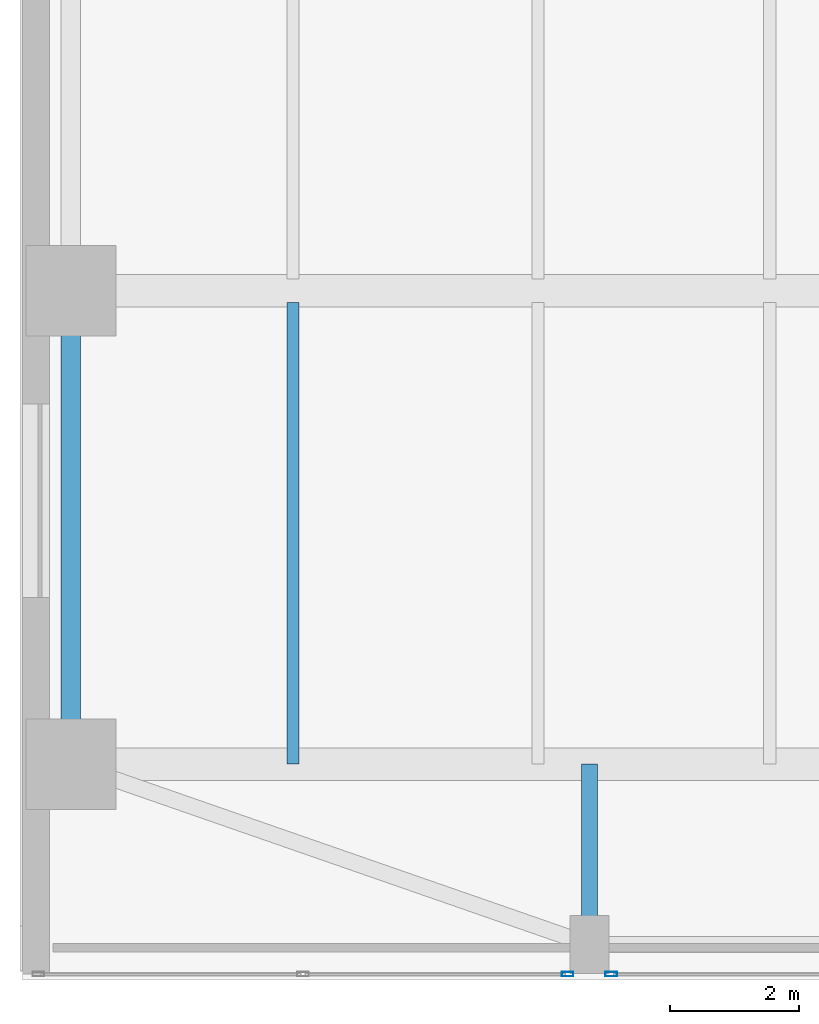
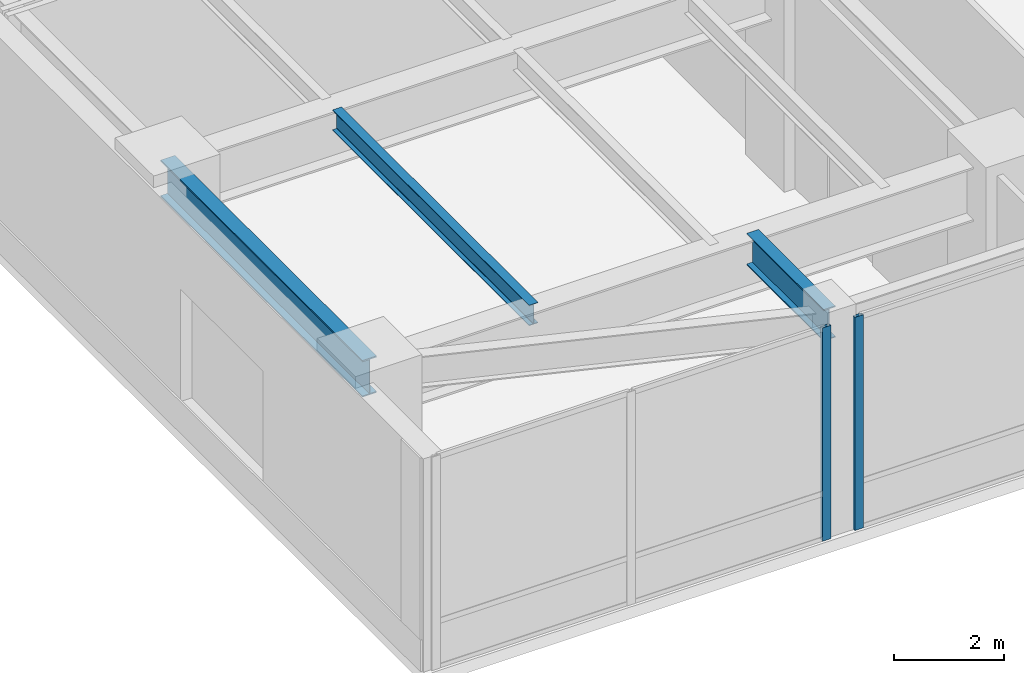
# One storey, part 3 of 39: 3 beams, 2 members, 2 elements without a shape of their own.
"""IFC4 building model written with IfcOpenShell, lengths in metres."""

from ifc_helpers import new_model, si_unit, direction, frame, origin, origin_2d, place, context, subcontext, project, spatial, hollow_rectangle, i_section, extrude, source, transform, mapped, material, layer, layer_set, material_profile, profile_set, type_object, type_shapes, element, aggregate, save


model = new_model("IFC4")

# Units and contexts
model_context = context("Model", 3, precision=1e-05, world=origin(), true_north=direction((0.0, 1.0)))
body_context = subcontext(model_context, "Body", "Model", "MODEL_VIEW")
ifc_project = project(units=[si_unit("LENGTHUNIT", "METRE"), si_unit("AREAUNIT", "SQUARE_METRE"), si_unit("VOLUMEUNIT", "CUBIC_METRE"), si_unit("PLANEANGLEUNIT", "RADIAN"), si_unit("MASSUNIT", "GRAM", prefix="KILO")], contexts=[model_context])

# Site, building, storey
site_placement = place(None, origin())
site = spatial("IfcSite", under=ifc_project, at=site_placement, CompositionType="ELEMENT")
building_placement = place(site_placement, origin())
building = spatial("IfcBuilding", under=site, at=building_placement, Name="Tolvann Quenvar Hotel", CompositionType="ELEMENT")
storey_placement = place(building_placement, frame((0.0, 0.0, 11.0)))
storey = spatial("IfcBuildingStorey", under=building, at=storey_placement, Name="L02", CompositionType="ELEMENT", Elevation=11.0)

# Beams
ifc_material_1 = material(Name="Steel Grade 350", Category="steel")
ifc_material_profile_1 = material_profile(ifc_material_1, i_section(OverallWidth=0.300048828125, OverallDepth=0.81591796875, WebThickness=0.010009765625, FlangeThickness=0.028076171875, at=origin_2d()), Name="800WB192")
ifc_profile_set_1 = profile_set([ifc_material_profile_1], Name="Steel Grade 350")
beam_type_1 = type_object("IfcBeamType", Name="BM_GIRD_800WB192", PredefinedType="BEAM", material=ifc_profile_set_1)
shared_shape_1 = source(origin(), body_context, "Body", "SweptSolid", [
    extrude(i_section(OverallWidth=0.300048828125, OverallDepth=0.81591796875, WebThickness=0.010009765625, FlangeThickness=0.028076171875, at=origin_2d()), origin(), (0.0, 0.0, 1.0), 7.349853515625),
])
type_shapes(beam_type_1, [shared_shape_1])
beam_1_placement = place(storey_placement, frame((-7.64990234375, 0.85009765625, 4.33203125), z_axis=(0.0, 1.0, 0.0), x_axis=(-1.0, 0.0, 0.0)))
element("IfcBeam", 1, at=beam_1_placement, inside=storey, type_object=beam_type_1, Name="BM-L02-NS-A-0", PredefinedType="BEAM", context=body_context, shape_type="MappedRepresentation", body=[
    mapped(shared_shape_1, transform((0.0, 0.0, 0.0), x_axis=(1.0, 0.0, 0.0), y_axis=(0.0, 1.0, 0.0), z_axis=(0.0, 0.0, 1.0), scale=1.0)),
])
ifc_material_profile_2 = material_profile(ifc_material_1, i_section(OverallWidth=0.25, OverallDepth=0.699951171875, WebThickness=0.010009765625, FlangeThickness=0.02392578125, at=origin_2d()), Name="700WB150")
ifc_profile_set_2 = profile_set([ifc_material_profile_2], Name="Steel Grade 350")
beam_type_2 = type_object("IfcBeamType", Name="BM_GIRD_700WB150", PredefinedType="BEAM", material=ifc_profile_set_2)
shared_shape_2 = source(origin(), body_context, "Body", "SweptSolid", [
    extrude(i_section(OverallWidth=0.25, OverallDepth=0.699951171875, WebThickness=0.010009765625, FlangeThickness=0.02392578125, at=origin_2d()), origin(), (0.0, 0.0, 1.0), 2.800048828125),
])
type_shapes(beam_type_2, [shared_shape_2])
beam_2_placement = place(storey_placement, frame((0.39990234375, -1.949951171875, 4.389892578125), z_axis=(0.0, 1.0, 0.0), x_axis=(-1.0, 0.0, 0.0)))
element("IfcBeam", 2, at=beam_2_placement, inside=storey, type_object=beam_type_2, Name="BM-L02-TIE-S-0", PredefinedType="BEAM", context=body_context, shape_type="MappedRepresentation", body=[
    mapped(shared_shape_2, transform((0.0, 0.0, 0.0), x_axis=(1.0, 0.0, 0.0), y_axis=(0.0, 1.0, 0.0), z_axis=(0.0, 0.0, 1.0), scale=1.0)),
])
ifc_material_profile_3 = material_profile(ifc_material_1, i_section(OverallWidth=0.18994140625, OverallDepth=0.4541015625, WebThickness=0.008544921875, FlangeThickness=0.0126953125, FilletRadius=0.011474609375, at=origin_2d()), Name="460UB67")
ifc_profile_set_3 = profile_set([ifc_material_profile_3], Name="Steel Grade 350")
beam_type_3 = type_object("IfcBeamType", Name="BM_JOIST_460UB67", PredefinedType="JOIST", material=ifc_profile_set_3)
shared_shape_3 = source(origin(), body_context, "Body", "SweptSolid", [
    extrude(i_section(OverallWidth=0.18994140625, OverallDepth=0.4541015625, WebThickness=0.008544921875, FlangeThickness=0.0126953125, FilletRadius=0.011474609375, at=origin_2d()), origin(), (0.0, 0.0, 1.0), 7.164794921875),
])
type_shapes(beam_type_3, [shared_shape_3])
beam_3_placement = place(storey_placement, frame((-4.199951171875, 0.85009765625, 4.512939453125), z_axis=(0.0, 1.0, 0.0), x_axis=(-1.0, 0.0, 0.0)))
element("IfcBeam", 3, at=beam_3_placement, inside=storey, type_object=beam_type_3, Name="BJ-L02--42-8", PredefinedType="JOIST", context=body_context, shape_type="MappedRepresentation", body=[
    mapped(shared_shape_3, transform((0.0, 0.0, 0.0), x_axis=(1.0, 0.0, 0.0), y_axis=(0.0, 1.0, 0.0), z_axis=(0.0, 0.0, 1.0), scale=1.0)),
])

# Curtain wall, member
ifc_material_2 = material(Name="Thermally broken anodised architectural aluminium 6063-T6 and laminated low-E glass", Category="aluminium")
ifc_layer = layer(ifc_material_2, 0.179931640625)
ifc_layer_set = layer_set([ifc_layer], Name="Thermally broken anodised architectural aluminium 6063-T6 and laminated low-E glass")
curtain_wall_type = type_object("IfcCurtainWallType", Name="CW_SYS_BALL_02", PredefinedType="USERDEFINED", material=ifc_layer_set)
curtain_wall_1_placement = place(storey_placement, origin())
curtain_wall_1 = element("IfcCurtainWall", 4, at=curtain_wall_1_placement, inside=storey, type_object=curtain_wall_type, Name="Curtain Wall CW-BALL-02 (CWR-L02-E08-S1)", ObjectType="UNITISED CURTAIN WALL", PredefinedType="USERDEFINED")
ifc_material_3 = material(Name="Anodised architectural aluminium 6063-T6 framing", Category="aluminium")
ifc_material_profile_4 = material_profile(ifc_material_3, hollow_rectangle(XDim=0.070068359375, YDim=0.179931640625, WallThickness=0.00390625, at=origin_2d()), Name="180x70x4RHS")
ifc_profile_set_4 = profile_set([ifc_material_profile_4], Name="Anodised architectural aluminium 6063-T6 framing")
member_type = type_object("IfcMemberType", Name="CW_MULL_180x70", PredefinedType="MULLION", material=ifc_profile_set_4)
shared_shape_4 = source(origin(), body_context, "Body", "SweptSolid", [
    extrude(hollow_rectangle(XDim=0.070068359375, YDim=0.179931640625, WallThickness=0.00390625, at=origin_2d()), origin(), (0.0, 0.0, 1.0), 4.739990234375),
])
type_shapes(member_type, [shared_shape_4])
member_1_placement = place(storey_placement, frame((0.06103515625, -2.409912109375, 0.0), z_axis=(0.0, 0.0, 1.0), x_axis=(0.0, 1.0, 0.0)))
member_1 = element("IfcMember", 5, at=member_1_placement, type_object=member_type, Name="CW-BALL-02 mullion 3", PredefinedType="MULLION", context=body_context, shape_type="MappedRepresentation", body=[
    mapped(shared_shape_4, transform((0.0, 0.0, 0.0), x_axis=(1.0, 0.0, 0.0), y_axis=(0.0, 1.0, 0.0), z_axis=(0.0, 0.0, 1.0), scale=1.0)),
])
aggregate(curtain_wall_1, [member_1])

curtain_wall_2_placement = place(storey_placement, origin())
curtain_wall_2 = element("IfcCurtainWall", 6, at=curtain_wall_2_placement, inside=storey, type_object=curtain_wall_type, Name="Curtain Wall CW-BALL-02 (CWR-L02-E08-S2)", ObjectType="UNITISED CURTAIN WALL", PredefinedType="USERDEFINED")
member_2_placement = place(storey_placement, frame((0.739013671875, -2.409912109375, 0.0), z_axis=(0.0, 0.0, 1.0), x_axis=(0.0, 1.0, 0.0)))
member_2 = element("IfcMember", 7, at=member_2_placement, type_object=member_type, Name="CW-BALL-02 mullion 1", PredefinedType="MULLION", context=body_context, shape_type="MappedRepresentation", body=[
    mapped(shared_shape_4, transform((0.0, 0.0, 0.0), x_axis=(1.0, 0.0, 0.0), y_axis=(0.0, 1.0, 0.0), z_axis=(0.0, 0.0, 1.0), scale=1.0)),
])
aggregate(curtain_wall_2, [member_2])

save(model, "model.ifc")
